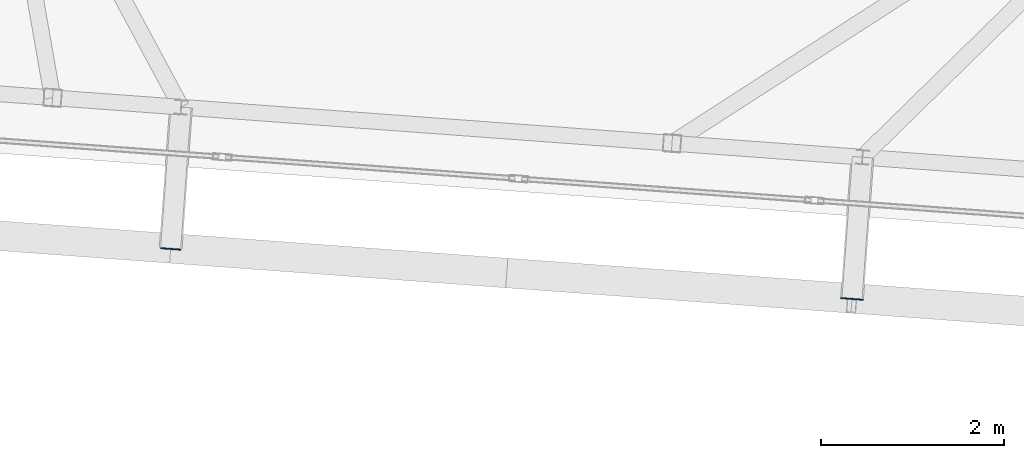
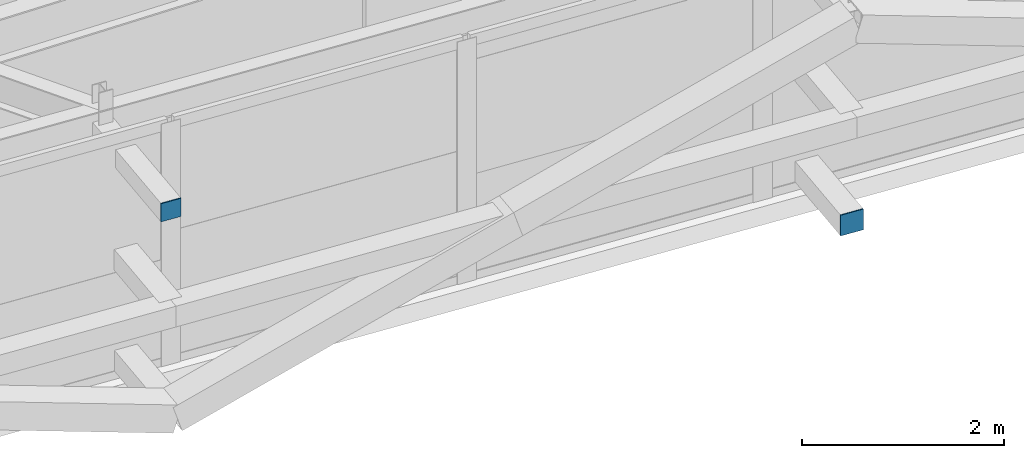
# One storey, part 32 of 42: 2 plates.
"""IFC4 building model written with IfcOpenShell, lengths in metres."""

from ifc_helpers import new_model, si_unit, direction, frame, origin, origin_2d, place, context, subcontext, project, spatial, rectangle, extrude, source, transform, mapped, material, layer, layer_set, type_object, element, save


model = new_model("IFC4")

# Units and contexts
model_context = context("Model", 3, precision=1e-05, world=origin(), true_north=direction((0.0, 1.0)))
body_context = subcontext(model_context, "Body", "Model", "MODEL_VIEW")
ifc_project = project(units=[si_unit("LENGTHUNIT", "METRE"), si_unit("AREAUNIT", "SQUARE_METRE"), si_unit("VOLUMEUNIT", "CUBIC_METRE"), si_unit("PLANEANGLEUNIT", "RADIAN"), si_unit("MASSUNIT", "GRAM", prefix="KILO")], contexts=[model_context])

# Site, building, storey
site_placement = place(None, origin())
site = spatial("IfcSite", under=ifc_project, at=site_placement, CompositionType="ELEMENT")
building_placement = place(site_placement, origin())
building = spatial("IfcBuilding", under=site, at=building_placement, Name="Taldren Reach Tower", CompositionType="ELEMENT")
storey_placement = place(building_placement, frame((0.0, 0.0, 217.699951171875)))
storey = spatial("IfcBuildingStorey", under=building, at=storey_placement, Name="L66", CompositionType="ELEMENT", Elevation=217.699951171875)

# Plates
ifc_material_1 = material(Name="Steel Gr 350 (C350L0)", Category="steel")
ifc_layer_1 = layer(ifc_material_1, 0.011962890625)
ifc_layer_set_1 = layer_set([ifc_layer_1], Name="Steel Gr 350 (C350L0)")
plate_type_1 = type_object("IfcPlateType", Name="PL-CAP-250", PredefinedType="SHEET", material=ifc_layer_set_1)
shared_shape_1 = source(origin(), body_context, "Body", "SweptSolid", [
    extrude(rectangle(XDim=0.25, YDim=0.011962890625, at=origin_2d()), origin(), (0.0, 0.0, 1.0), 0.25),
])
plate_1_placement = place(storey_placement, frame((37.406494140625, 3.264892578125, 0.094970703125), z_axis=(0.0, 0.0, 1.0), x_axis=(0.997314477224, -0.073238197128, 0.0)))
element("IfcPlate", 1, at=plate_1_placement, inside=storey, type_object=plate_type_1, Name="Tie strut end cap plate B5-S4 L66", PredefinedType="SHEET", context=body_context, shape_type="MappedRepresentation", body=[
    mapped(shared_shape_1, transform((0.0, 0.0, 0.0), scale=1.0)),
])
ifc_material_2 = material(Name="Steel Gr 450 (C450L0)", Category="steel")
ifc_layer_2 = layer(ifc_material_2, 0.011962890625)
ifc_layer_set_2 = layer_set([ifc_layer_2], Name="Steel Gr 450 (C450L0)")
plate_type_2 = type_object("IfcPlateType", Name="PL-CAP-220", PredefinedType="SHEET", material=ifc_layer_set_2)
shared_shape_2 = source(origin(), body_context, "Body", "SweptSolid", [
    extrude(rectangle(XDim=0.219970703125, YDim=0.011962890625, at=origin_2d()), origin(), (0.0, 0.0, 1.0), 0.219970703125),
])
plate_2_placement = place(storey_placement, frame((29.946533203125, 3.812744140625, 2.5400390625), z_axis=(0.0, 0.0, 1.0), x_axis=(0.997314477224, -0.073238197128, 0.0)))
element("IfcPlate", 2, at=plate_2_placement, inside=storey, type_object=plate_type_2, Name="Tie strut end cap plate B5-S3 L66", PredefinedType="SHEET", context=body_context, shape_type="MappedRepresentation", body=[
    mapped(shared_shape_2, transform((0.0, 0.0, 0.0), scale=1.0)),
])

save(model, "model.ifc")
